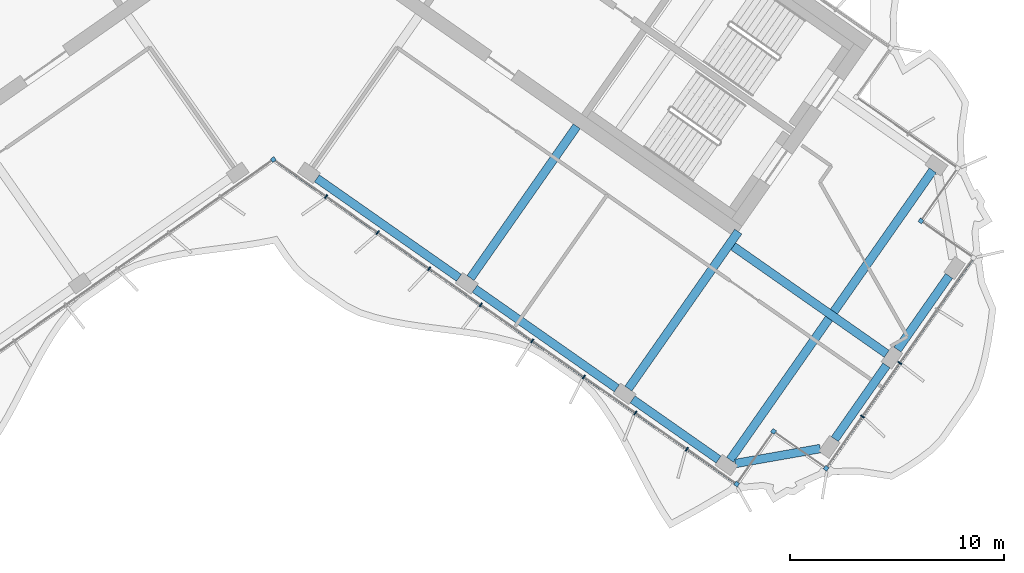
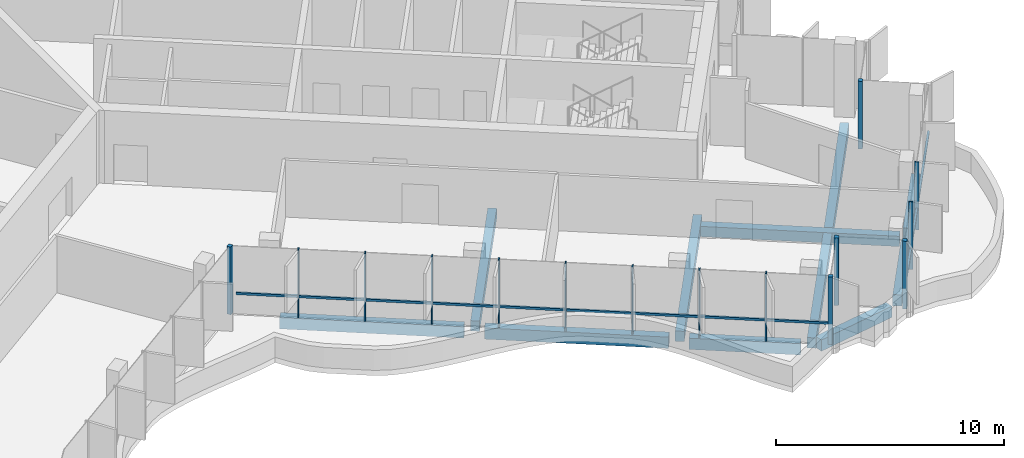
# One storey, part 4 of 19: 17 members, 10 beams, 1 element without a shape of its own.
"""IFC4 building model written with IfcOpenShell, lengths in metres."""

from ifc_helpers import new_model, si_unit, direction, frame, origin, origin_2d, place, context, subcontext, project, spatial, rectangle, extrude, material, material_profile, profile_set, type_object, element, aggregate, save


model = new_model("IFC4")

# Units and contexts
model_context = context("Model", 3, precision=1e-05, world=origin(), true_north=direction((0.0, 1.0)))
body_context = subcontext(model_context, "Body", "Model", "MODEL_VIEW")
ifc_project = project(units=[si_unit("LENGTHUNIT", "METRE"), si_unit("AREAUNIT", "SQUARE_METRE"), si_unit("VOLUMEUNIT", "CUBIC_METRE"), si_unit("PLANEANGLEUNIT", "RADIAN"), si_unit("MASSUNIT", "GRAM", prefix="KILO")], contexts=[model_context])

# Site, building, storey
site_placement = place(None, origin())
site = spatial("IfcSite", under=ifc_project, at=site_placement, CompositionType="ELEMENT")
building_placement = place(site_placement, origin())
building = spatial("IfcBuilding", under=site, at=building_placement, Name="Tel Ilan Convention Tower", CompositionType="ELEMENT")
storey_placement = place(building_placement, frame((0.0, 0.0, 241.0)))
storey = spatial("IfcBuildingStorey", under=building, at=storey_placement, Name="L56", CompositionType="ELEMENT", Elevation=241.0)

# Beams
ifc_material_1 = material(Name="Concrete C40/50", Category="concrete")
ifc_material_profile_1 = material_profile(ifc_material_1, rectangle(XDim=0.39990234375, YDim=0.550048828125, at=origin_2d()), Name="RC 400x550")
ifc_profile_set_1 = profile_set([ifc_material_profile_1], Name="Concrete C40/50")
beam_type_1 = type_object("IfcBeamType", Name="Beam RC 400x550 Concrete C40/50", PredefinedType="BEAM", material=ifc_profile_set_1)
beam_1_placement = place(storey_placement, frame((9.209716796875, -18.229248046875, -0.554931640625), z_axis=(0.573574099654, 0.819153680457, 0.0), x_axis=(-0.819153680457, 0.573574099654, 0.0)))
element("IfcBeam", 1, at=beam_1_placement, inside=storey, type_object=beam_type_1, Name="L56 beam E-E-F2-core", PredefinedType="BEAM", context=body_context, shape_type="SweptSolid", body=[
    extrude(rectangle(XDim=0.39990234375, YDim=0.550048828125, at=origin_2d()), origin(), (0.0, 0.0, 1.0), 8.64990234375),
])
beam_2_placement = place(storey_placement, frame((16.58203125, -23.391357421875, -0.554931640625), z_axis=(0.573584999642, 0.819146048141, 0.0), x_axis=(-0.819146048141, 0.573584999642, 0.0)))
element("IfcBeam", 2, at=beam_2_placement, inside=storey, type_object=beam_type_1, Name="L56 beam E-E-F3-core", PredefinedType="BEAM", context=body_context, shape_type="SweptSolid", body=[
    extrude(rectangle(XDim=0.39990234375, YDim=0.550048828125, at=origin_2d()), origin(), (0.0, 0.0, 1.0), 8.949951171875),
])
beam_3_placement = place(storey_placement, frame((21.477783203125, -16.748046875, -0.554931640625), z_axis=(0.819157197737, -0.573569076395, 0.0), x_axis=(0.573569076395, 0.819157197737, 0.0)))
element("IfcBeam", 3, at=beam_3_placement, inside=storey, type_object=beam_type_1, Name="L56 beam E-core-end", PredefinedType="BEAM", context=body_context, shape_type="SweptSolid", body=[
    extrude(rectangle(XDim=0.39990234375, YDim=0.550048828125, at=origin_2d()), origin(), (0.0, 0.0, 1.0), 8.75),
])
beam_4_placement = place(storey_placement, frame((21.333251953125, -26.718017578125, -0.554931640625), z_axis=(0.573574554643, 0.819153361872, 0.0), x_axis=(-0.819153361872, 0.573574554643, 0.0)))
element("IfcBeam", 4, at=beam_4_placement, inside=storey, type_object=beam_type_1, Name="L56 beam E-E-FC-E-BC", PredefinedType="BEAM", context=body_context, shape_type="SweptSolid", body=[
    extrude(rectangle(XDim=0.39990234375, YDim=0.550048828125, at=origin_2d()), origin(), (0.0, 0.0, 1.0), 16.499755859375),
])
ifc_material_2 = material(Name="Concrete C40/50", Category="concrete")
ifc_material_profile_2 = material_profile(ifc_material_2, rectangle(XDim=0.39990234375, YDim=0.60009765625, at=origin_2d()), Name="RC 400x600")
ifc_profile_set_2 = profile_set([ifc_material_profile_2], Name="Concrete C40/50")
beam_type_2 = type_object("IfcBeamType", Name="Beam RC 400x600 Concrete C40/50", PredefinedType="BEAM", material=ifc_profile_set_2)
beam_5_placement = place(storey_placement, frame((2.033935546875, -13.57080078125, -0.580078125), z_axis=(0.81914553362, -0.573585734437, 0.0), x_axis=(0.573585734437, 0.81914553362, 0.0)))
element("IfcBeam", 5, at=beam_5_placement, inside=storey, type_object=beam_type_2, Name="L56 beam E-E-F1-E-F2", PredefinedType="BEAM", context=body_context, shape_type="SweptSolid", body=[
    extrude(rectangle(XDim=0.39990234375, YDim=0.60009765625, at=origin_2d()), origin(), (0.0, 0.0, 1.0), 8.099853515625),
])
beam_6_placement = place(storey_placement, frame((9.40625, -18.73291015625, -0.580078125), z_axis=(0.819155449703, -0.573571572885, 0.0), x_axis=(0.573571572885, 0.819155449703, 0.0)))
element("IfcBeam", 6, at=beam_6_placement, inside=storey, type_object=beam_type_2, Name="L56 beam E-E-F2-E-F3", PredefinedType="BEAM", context=body_context, shape_type="SweptSolid", body=[
    extrude(rectangle(XDim=0.39990234375, YDim=0.60009765625, at=origin_2d()), origin(), (0.0, 0.0, 1.0), 8.10009765625),
])
beam_7_placement = place(storey_placement, frame((16.778564453125, -23.895263671875, -0.580078125), z_axis=(0.819154669329, -0.573572687386, 0.0), x_axis=(0.573572687386, 0.819154669329, 0.0)))
element("IfcBeam", 7, at=beam_7_placement, inside=storey, type_object=beam_type_2, Name="L56 beam E-E-F3-E-FC", PredefinedType="BEAM", context=body_context, shape_type="SweptSolid", body=[
    extrude(rectangle(XDim=0.39990234375, YDim=0.60009765625, at=origin_2d()), origin(), (0.0, 0.0, 1.0), 4.900146484375),
])
beam_8_placement = place(storey_placement, frame((21.578857421875, -26.89013671875, -0.580078125), z_axis=(0.984804894423, 0.173664388751, 0.0), x_axis=(-0.173664388751, 0.984804894423, 0.0)))
element("IfcBeam", 8, at=beam_8_placement, inside=storey, type_object=beam_type_2, Name="L56 beam E-E-FC-E-E1", PredefinedType="BEAM", context=body_context, shape_type="SweptSolid", body=[
    extrude(rectangle(XDim=0.39990234375, YDim=0.60009765625, at=origin_2d()), origin(), (0.0, 0.0, 1.0), 4.030517578125),
])
for number, where, z_axis, x_axis, name in (
    (9, (26.22412109375, -25.748046875, -0.580078125), (0.573563773994, 0.819160910421, 0.0), (-0.819160910421, 0.573563773994, 0.0), "L56 beam E-E-E1-E-E2"),
    (10, (29.1494140625, -21.5703125, -0.580078125), (0.573563773994, 0.819160910421, 0.0), (-0.819160910421, 0.573563773994, 0.0), "L56 beam E-E-E2-E-E3"),
):
    element("IfcBeam", number, at=place(storey_placement, frame(where, z_axis=z_axis, x_axis=x_axis)), inside=storey, type_object=beam_type_2, Name=name, PredefinedType="BEAM", context=body_context, shape_type="SweptSolid", body=[
        extrude(rectangle(XDim=0.39990234375, YDim=0.60009765625, at=origin_2d()), origin(), (0.0, 0.0, 1.0), 4.199951171875),
    ])

# Curtain wall, members
ifc_material_3 = material(Name="Aluminium, bronze anodised", Category="aluminium")
curtain_wall_type = type_object("IfcCurtainWallType", Name="CW5 STICK CURTAIN WALL, UPPER OFFICE LOW-IRON TINTED GLASS", PredefinedType="NOTDEFINED", material=ifc_material_3)
curtain_wall_placement = place(storey_placement, origin())
curtain_wall = element("IfcCurtainWall", 11, at=curtain_wall_placement, inside=storey, type_object=curtain_wall_type, Name="Curtain wall CW5-43.02", PredefinedType="NOTDEFINED")
ifc_material_4 = material(Name="Aluminium, bronze anodised", Category="aluminium")
ifc_material_profile_3 = material_profile(ifc_material_4, rectangle(XDim=0.199951171875, YDim=0.199951171875, at=origin_2d()), Name="CW CORNER MULLION 200x200")
ifc_profile_set_3 = profile_set([ifc_material_profile_3], Name="Aluminium, bronze anodised")
member_type_1 = type_object("IfcMemberType", Name="CW CORNER MULLION 200x200", PredefinedType="MULLION", material=ifc_profile_set_3)
member_1_placement = place(storey_placement, frame((0.0, -12.696044921875, 0.0), z_axis=(0.0, 0.0, 1.0), x_axis=(0.819152044289, 0.573576436351, 0.0)))
member_1 = element("IfcMember", 12, at=member_1_placement, type_object=member_type_1, Name="Corner mullion", PredefinedType="MULLION", context=body_context, shape_type="SweptSolid", body=[
    extrude(rectangle(XDim=0.199951171875, YDim=0.199951171875, at=origin_2d()), origin(), (0.0, 0.0, 1.0), 3.6201171875),
])
member_2_placement = place(storey_placement, frame((21.64013671875, -27.8486328125, 0.0), z_axis=(0.0, 0.0, 1.0), x_axis=(0.819152044289, -0.573576436351, 0.0)))
member_2 = element("IfcMember", 13, at=member_2_placement, type_object=member_type_1, Name="Corner mullion", PredefinedType="MULLION", context=body_context, shape_type="SweptSolid", body=[
    extrude(rectangle(XDim=0.199951171875, YDim=0.199951171875, at=origin_2d()), origin(), (0.0, 0.0, 1.0), 3.6201171875),
])
member_3_placement = place(storey_placement, frame((23.36083984375, -25.391357421875, 0.0), z_axis=(0.0, 0.0, 1.0), x_axis=(0.573576436351, 0.819152044289, 0.0)))
member_3 = element("IfcMember", 14, at=member_3_placement, type_object=member_type_1, Name="Corner mullion", PredefinedType="MULLION", context=body_context, shape_type="SweptSolid", body=[
    extrude(rectangle(XDim=0.199951171875, YDim=0.199951171875, at=origin_2d()), origin(), (0.0, 0.0, 1.0), 3.6201171875),
])
member_4_placement = place(storey_placement, frame((25.818359375, -27.112060546875, 0.0), z_axis=(0.0, 0.0, 1.0), x_axis=(0.819152044289, -0.573576436351, 0.0)))
member_4 = element("IfcMember", 15, at=member_4_placement, type_object=member_type_1, Name="Corner mullion", PredefinedType="MULLION", context=body_context, shape_type="SweptSolid", body=[
    extrude(rectangle(XDim=0.199951171875, YDim=0.199951171875, at=origin_2d()), origin(), (0.0, 0.0, 1.0), 3.6201171875),
])
member_5_placement = place(storey_placement, frame((30.243896484375, -15.5615234375, 0.0), z_axis=(0.0, 0.0, 1.0), x_axis=(-0.819152044289, 0.573576436351, 0.0)))
member_5 = element("IfcMember", 16, at=member_5_placement, type_object=member_type_1, Name="Corner mullion", PredefinedType="MULLION", context=body_context, shape_type="SweptSolid", body=[
    extrude(rectangle(XDim=0.199951171875, YDim=0.199951171875, at=origin_2d()), origin(), (0.0, 0.0, 1.0), 3.6201171875),
])
ifc_material_5 = material(Name="Aluminium, bronze anodised", Category="aluminium")
ifc_material_profile_4 = material_profile(ifc_material_5, rectangle(XDim=0.06005859375, YDim=0.199951171875, at=origin_2d()), Name="CW MULLION 60x200")
ifc_profile_set_4 = profile_set([ifc_material_profile_4], Name="Aluminium, bronze anodised")
member_type_2 = type_object("IfcMemberType", Name="CW MULLION 60x200", PredefinedType="MULLION", material=ifc_profile_set_4)
member_6_placement = place(storey_placement, frame((2.464599609375, -14.421875, 0.0), z_axis=(0.0, 0.0, 1.0), x_axis=(0.819152044289, -0.573576436351, 0.0)))
member_6 = element("IfcMember", 17, at=member_6_placement, type_object=member_type_2, Name="Mullion", PredefinedType="MULLION", context=body_context, shape_type="SweptSolid", body=[
    extrude(rectangle(XDim=0.06005859375, YDim=0.199951171875, at=origin_2d()), origin(), (0.0, 0.0, 1.0), 3.6201171875),
])
member_7_placement = place(storey_placement, frame((4.871826171875, -16.107177734375, 0.0), z_axis=(0.0, 0.0, 1.0), x_axis=(0.819152044289, -0.573576436351, 0.0)))
member_7 = element("IfcMember", 18, at=member_7_placement, type_object=member_type_2, Name="Mullion", PredefinedType="MULLION", context=body_context, shape_type="SweptSolid", body=[
    extrude(rectangle(XDim=0.06005859375, YDim=0.199951171875, at=origin_2d()), origin(), (0.0, 0.0, 1.0), 3.6201171875),
])
member_8_placement = place(storey_placement, frame((7.279052734375, -17.792724609375, 0.0), z_axis=(0.0, 0.0, 1.0), x_axis=(0.819152044289, -0.573576436351, 0.0)))
member_8 = element("IfcMember", 19, at=member_8_placement, type_object=member_type_2, Name="Mullion", PredefinedType="MULLION", context=body_context, shape_type="SweptSolid", body=[
    extrude(rectangle(XDim=0.06005859375, YDim=0.199951171875, at=origin_2d()), origin(), (0.0, 0.0, 1.0), 3.6201171875),
])
member_9_placement = place(storey_placement, frame((9.68603515625, -19.478271484375, 0.0), z_axis=(0.0, 0.0, 1.0), x_axis=(0.819152044289, -0.573576436351, 0.0)))
member_9 = element("IfcMember", 20, at=member_9_placement, type_object=member_type_2, Name="Mullion", PredefinedType="MULLION", context=body_context, shape_type="SweptSolid", body=[
    extrude(rectangle(XDim=0.06005859375, YDim=0.199951171875, at=origin_2d()), origin(), (0.0, 0.0, 1.0), 3.6201171875),
])
member_10_placement = place(storey_placement, frame((12.09326171875, -21.163818359375, 0.0), z_axis=(0.0, 0.0, 1.0), x_axis=(0.819152044289, -0.573576436351, 0.0)))
member_10 = element("IfcMember", 21, at=member_10_placement, type_object=member_type_2, Name="Mullion", PredefinedType="MULLION", context=body_context, shape_type="SweptSolid", body=[
    extrude(rectangle(XDim=0.06005859375, YDim=0.199951171875, at=origin_2d()), origin(), (0.0, 0.0, 1.0), 3.6201171875),
])
member_11_placement = place(storey_placement, frame((14.50048828125, -22.849365234375, 0.0), z_axis=(0.0, 0.0, 1.0), x_axis=(0.819152044289, -0.573576436351, 0.0)))
member_11 = element("IfcMember", 22, at=member_11_placement, type_object=member_type_2, Name="Mullion", PredefinedType="MULLION", context=body_context, shape_type="SweptSolid", body=[
    extrude(rectangle(XDim=0.06005859375, YDim=0.199951171875, at=origin_2d()), origin(), (0.0, 0.0, 1.0), 3.6201171875),
])
member_12_placement = place(storey_placement, frame((16.90771484375, -24.534912109375, 0.0), z_axis=(0.0, 0.0, 1.0), x_axis=(0.819152044289, -0.573576436351, 0.0)))
member_12 = element("IfcMember", 23, at=member_12_placement, type_object=member_type_2, Name="Mullion", PredefinedType="MULLION", context=body_context, shape_type="SweptSolid", body=[
    extrude(rectangle(XDim=0.06005859375, YDim=0.199951171875, at=origin_2d()), origin(), (0.0, 0.0, 1.0), 3.6201171875),
])
member_13_placement = place(storey_placement, frame((19.31494140625, -26.220458984375, 0.0), z_axis=(0.0, 0.0, 1.0), x_axis=(0.819152044289, -0.573576436351, 0.0)))
member_13 = element("IfcMember", 24, at=member_13_placement, type_object=member_type_2, Name="Mullion", PredefinedType="MULLION", context=body_context, shape_type="SweptSolid", body=[
    extrude(rectangle(XDim=0.06005859375, YDim=0.199951171875, at=origin_2d()), origin(), (0.0, 0.0, 1.0), 3.6201171875),
])
member_14_placement = place(storey_placement, frame((27.510498046875, -24.695556640625, 0.0), z_axis=(0.0, 0.0, 1.0), x_axis=(0.573576436351, 0.819152044289, 0.0)))
member_14 = element("IfcMember", 25, at=member_14_placement, type_object=member_type_2, Name="Mullion", PredefinedType="MULLION", context=body_context, shape_type="SweptSolid", body=[
    extrude(rectangle(XDim=0.06005859375, YDim=0.199951171875, at=origin_2d()), origin(), (0.0, 0.0, 1.0), 3.6201171875),
])
member_15_placement = place(storey_placement, frame((29.259765625, -22.197021484375, 0.0), z_axis=(0.0, 0.0, 1.0), x_axis=(0.573576436351, 0.819152044289, 0.0)))
member_15 = element("IfcMember", 26, at=member_15_placement, type_object=member_type_2, Name="Mullion", PredefinedType="MULLION", context=body_context, shape_type="SweptSolid", body=[
    extrude(rectangle(XDim=0.06005859375, YDim=0.199951171875, at=origin_2d()), origin(), (0.0, 0.0, 1.0), 3.6201171875),
])
ifc_material_6 = material(Name="Aluminium, bronze anodised", Category="aluminium")
ifc_material_profile_5 = material_profile(ifc_material_6, rectangle(XDim=0.10009765625, YDim=0.1201171875, at=origin_2d()), Name="CW TRANSOM 100x120")
ifc_profile_set_5 = profile_set([ifc_material_profile_5], Name="Aluminium, bronze anodised")
member_type_3 = type_object("IfcMemberType", Name="CW TRANSOM 100x120", PredefinedType="USERDEFINED", material=ifc_profile_set_5)
member_16_placement = place(storey_placement, frame((0.22119140625, -12.850830078125, 1.10009765625), z_axis=(0.819152212587, -0.573576195996, 0.0), x_axis=(0.573576195996, 0.819152212587, 0.0)))
member_16 = element("IfcMember", 27, at=member_16_placement, type_object=member_type_3, Name="Transom", ObjectType="TRANSOM", PredefinedType="USERDEFINED", context=body_context, shape_type="SweptSolid", body=[
    extrude(rectangle(XDim=0.10009765625, YDim=0.1201171875, at=origin_2d()), origin(), (0.0, 0.0, 1.0), 26.0478515625),
])
member_17_placement = place(storey_placement, frame((25.875732421875, -27.030029296875, 1.10009765625), z_axis=(0.573581755582, 0.819148319698, 0.0), x_axis=(-0.819148319698, 0.573581755582, 0.0)))
member_17 = element("IfcMember", 28, at=member_17_placement, type_object=member_type_3, Name="Transom", ObjectType="TRANSOM", PredefinedType="USERDEFINED", context=body_context, shape_type="SweptSolid", body=[
    extrude(rectangle(XDim=0.10009765625, YDim=0.1201171875, at=origin_2d()), origin(), (0.0, 0.0, 1.0), 11.800048828125),
])
aggregate(curtain_wall, [member_1, member_6, member_7, member_8, member_9, member_10, member_11, member_12, member_13, member_2, member_16, member_3, member_4, member_14, member_15, member_17, member_5])

save(model, "model.ifc")
